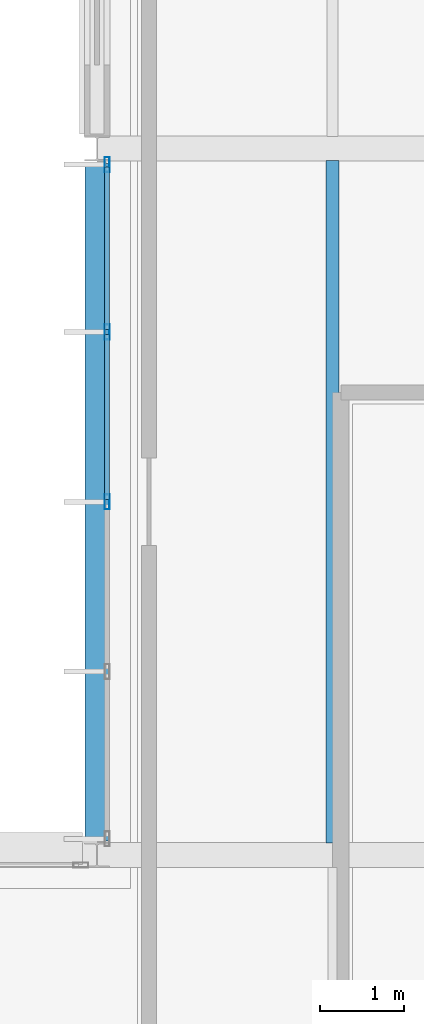
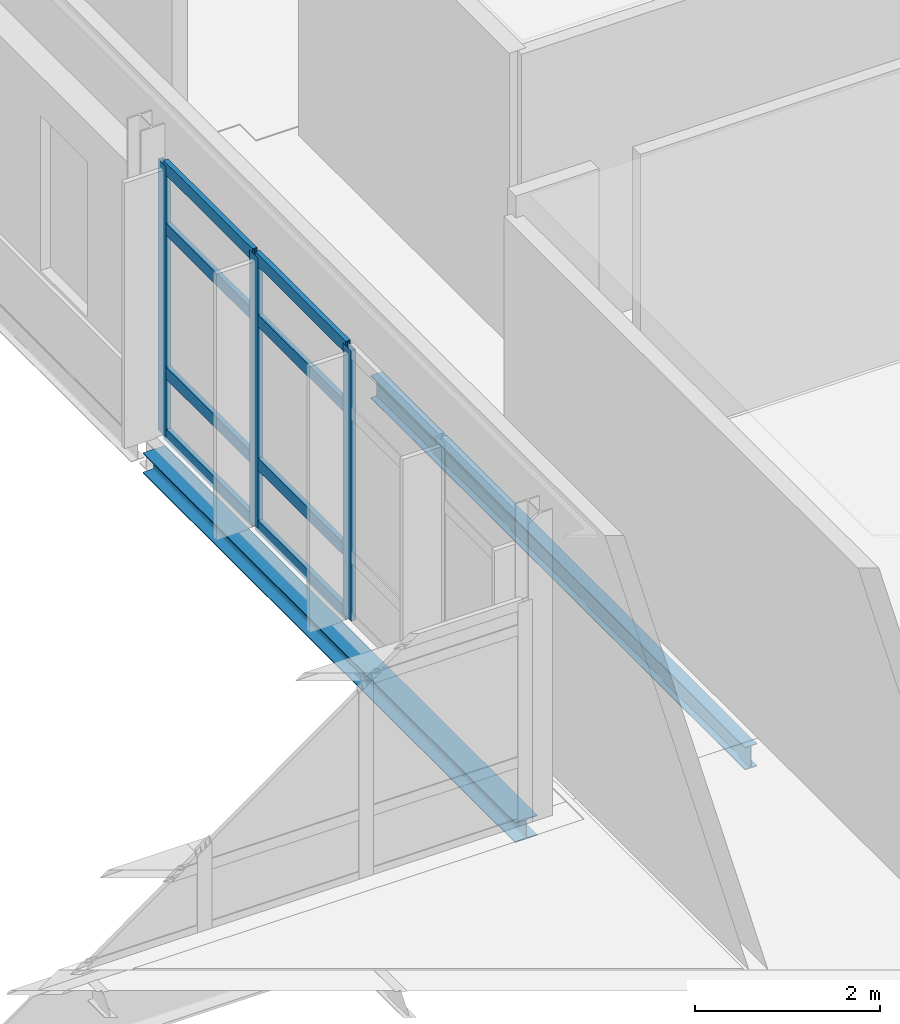
# One storey, part 41 of 103: 11 members, 2 beams, 1 element without a shape of its own.
"""IFC4 building model written with IfcOpenShell, lengths in metres."""

from ifc_helpers import new_model, si_unit, direction, frame, origin, origin_2d, place, context, subcontext, project, spatial, hollow_rectangle, i_section, extrude, material, material_profile, profile_set, type_object, element, aggregate, save


model = new_model("IFC4")

# Units and contexts
model_context = context("Model", 3, precision=1e-05, world=origin(), true_north=direction((0.0, 1.0)))
body_context = subcontext(model_context, "Body", "Model", "MODEL_VIEW")
ifc_project = project(units=[si_unit("LENGTHUNIT", "METRE"), si_unit("AREAUNIT", "SQUARE_METRE"), si_unit("VOLUMEUNIT", "CUBIC_METRE"), si_unit("PLANEANGLEUNIT", "RADIAN"), si_unit("MASSUNIT", "GRAM", prefix="KILO")], contexts=[model_context])

# Site, building, storey
site_placement = place(None, origin())
site = spatial("IfcSite", under=ifc_project, at=site_placement, CompositionType="ELEMENT")
building_placement = place(site_placement, origin())
building = spatial("IfcBuilding", under=site, at=building_placement, Name="Mersafa Astral City Hall", CompositionType="ELEMENT")
storey_placement = place(building_placement, frame((0.0, 0.0, 18.0)))
storey = spatial("IfcBuildingStorey", under=building, at=storey_placement, Name="L04", CompositionType="ELEMENT", Elevation=18.0)

# Curtain wall, members
ifc_material_1 = material(Name="Anodised bronze aluminium framing", Category="aluminium")
curtain_wall_type = type_object("IfcCurtainWallType", Name="ENV-CW-5", PredefinedType="USERDEFINED", material=ifc_material_1)
curtain_wall_placement = place(storey_placement, origin())
curtain_wall = element("IfcCurtainWall", 1, at=curtain_wall_placement, inside=storey, type_object=curtain_wall_type, Name="L04 Unitised solar curtain wall 208", ObjectType="UNITISED CURTAIN WALL", PredefinedType="USERDEFINED")
ifc_material_profile_1 = material_profile(ifc_material_1, hollow_rectangle(XDim=0.06005859375, YDim=0.179931640625, WallThickness=0.00390625, at=origin_2d()), Name="RHS 60x180x4")
ifc_profile_set_1 = profile_set([ifc_material_profile_1], Name="Anodised bronze aluminium framing")
member_type_1 = type_object("IfcMemberType", Name="ENV-CW-MUL-1", PredefinedType="MULLION", material=ifc_profile_set_1)
member_1_placement = place(storey_placement, frame((100.919921875, 100.60791015625, -0.001953125), z_axis=(0.0, 0.0, 1.0), x_axis=(1.0, 0.0, 0.0)))
member_1 = element("IfcMember", 2, at=member_1_placement, type_object=member_type_1, Name="CW-5 mullion 1", PredefinedType="MULLION", context=body_context, shape_type="SweptSolid", body=[
    extrude(hollow_rectangle(XDim=0.06005859375, YDim=0.179931640625, WallThickness=0.00390625, at=origin_2d()), origin(), (0.0, 0.0, 1.0), 3.578857421875),
])
member_2_placement = place(storey_placement, frame((100.919921875, 98.618896484375, -0.001953125), z_axis=(0.0, 0.0, 1.0), x_axis=(1.0, 0.0, 0.0)))
member_2 = element("IfcMember", 3, at=member_2_placement, type_object=member_type_1, Name="CW-5 mullion 2", PredefinedType="MULLION", context=body_context, shape_type="SweptSolid", body=[
    extrude(hollow_rectangle(XDim=0.06005859375, YDim=0.179931640625, WallThickness=0.00390625, at=origin_2d()), origin(), (0.0, 0.0, 1.0), 3.578857421875),
])
member_3_placement = place(storey_placement, frame((100.919921875, 96.60009765625, -0.001953125), z_axis=(0.0, 0.0, 1.0), x_axis=(1.0, 0.0, 0.0)))
member_3 = element("IfcMember", 4, at=member_3_placement, type_object=member_type_1, Name="CW-5 mullion 3", PredefinedType="MULLION", context=body_context, shape_type="SweptSolid", body=[
    extrude(hollow_rectangle(XDim=0.06005859375, YDim=0.179931640625, WallThickness=0.00390625, at=origin_2d()), origin(), (0.0, 0.0, 1.0), 3.578857421875),
])
ifc_material_profile_2 = material_profile(ifc_material_1, hollow_rectangle(XDim=0.06005859375, YDim=0.159912109375, WallThickness=0.00390625, at=origin_2d()), Name="RHS 60x160x4")
ifc_profile_set_2 = profile_set([ifc_material_profile_2], Name="Anodised bronze aluminium framing")
member_type_2 = type_object("IfcMemberType", Name="ENV-CW-TRN-2", PredefinedType="USERDEFINED", material=ifc_profile_set_2)
member_4_placement = place(storey_placement, frame((100.919921875, 100.577880859375, 0.028076171875), z_axis=(0.0, -1.0, 0.0), x_axis=(1.0, 0.0, 0.0)))
member_4 = element("IfcMember", 5, at=member_4_placement, type_object=member_type_2, Name="CW-5 transom 1.1", ObjectType="TRANSOM", PredefinedType="USERDEFINED", context=body_context, shape_type="SweptSolid", body=[
    extrude(hollow_rectangle(XDim=0.06005859375, YDim=0.159912109375, WallThickness=0.00390625, at=origin_2d()), origin(), (0.0, 0.0, 1.0), 1.928955078125),
])
member_5_placement = place(storey_placement, frame((100.919921875, 100.577880859375, 0.85009765625), z_axis=(0.0, -1.0, 0.0), x_axis=(1.0, 0.0, 0.0)))
member_5 = element("IfcMember", 6, at=member_5_placement, type_object=member_type_2, Name="CW-5 transom 1.2", ObjectType="TRANSOM", PredefinedType="USERDEFINED", context=body_context, shape_type="SweptSolid", body=[
    extrude(hollow_rectangle(XDim=0.06005859375, YDim=0.159912109375, WallThickness=0.00390625, at=origin_2d()), origin(), (0.0, 0.0, 1.0), 1.928955078125),
])
member_6_placement = place(storey_placement, frame((100.919921875, 100.577880859375, 2.75), z_axis=(0.0, -1.0, 0.0), x_axis=(1.0, 0.0, 0.0)))
member_6 = element("IfcMember", 7, at=member_6_placement, type_object=member_type_2, Name="CW-5 transom 1.3", ObjectType="TRANSOM", PredefinedType="USERDEFINED", context=body_context, shape_type="SweptSolid", body=[
    extrude(hollow_rectangle(XDim=0.06005859375, YDim=0.159912109375, WallThickness=0.00390625, at=origin_2d()), origin(), (0.0, 0.0, 1.0), 1.928955078125),
])
member_7_placement = place(storey_placement, frame((100.919921875, 100.577880859375, 3.547119140625), z_axis=(0.0, -1.0, 0.0), x_axis=(1.0, 0.0, 0.0)))
member_7 = element("IfcMember", 8, at=member_7_placement, type_object=member_type_2, Name="CW-5 transom 1.4", ObjectType="TRANSOM", PredefinedType="USERDEFINED", context=body_context, shape_type="SweptSolid", body=[
    extrude(hollow_rectangle(XDim=0.06005859375, YDim=0.159912109375, WallThickness=0.00390625, at=origin_2d()), origin(), (0.0, 0.0, 1.0), 1.928955078125),
])
member_8_placement = place(storey_placement, frame((100.919921875, 98.589111328125, 0.028076171875), z_axis=(0.0, -1.0, 0.0), x_axis=(1.0, 0.0, 0.0)))
member_8 = element("IfcMember", 9, at=member_8_placement, type_object=member_type_2, Name="CW-5 transom 2.1", ObjectType="TRANSOM", PredefinedType="USERDEFINED", context=body_context, shape_type="SweptSolid", body=[
    extrude(hollow_rectangle(XDim=0.06005859375, YDim=0.159912109375, WallThickness=0.00390625, at=origin_2d()), origin(), (0.0, 0.0, 1.0), 1.959228515625),
])
member_9_placement = place(storey_placement, frame((100.919921875, 98.589111328125, 0.85009765625), z_axis=(0.0, -1.0, 0.0), x_axis=(1.0, 0.0, 0.0)))
member_9 = element("IfcMember", 10, at=member_9_placement, type_object=member_type_2, Name="CW-5 transom 2.2", ObjectType="TRANSOM", PredefinedType="USERDEFINED", context=body_context, shape_type="SweptSolid", body=[
    extrude(hollow_rectangle(XDim=0.06005859375, YDim=0.159912109375, WallThickness=0.00390625, at=origin_2d()), origin(), (0.0, 0.0, 1.0), 1.959228515625),
])
member_10_placement = place(storey_placement, frame((100.919921875, 98.589111328125, 2.75), z_axis=(0.0, -1.0, 0.0), x_axis=(1.0, 0.0, 0.0)))
member_10 = element("IfcMember", 11, at=member_10_placement, type_object=member_type_2, Name="CW-5 transom 2.3", ObjectType="TRANSOM", PredefinedType="USERDEFINED", context=body_context, shape_type="SweptSolid", body=[
    extrude(hollow_rectangle(XDim=0.06005859375, YDim=0.159912109375, WallThickness=0.00390625, at=origin_2d()), origin(), (0.0, 0.0, 1.0), 1.959228515625),
])
member_11_placement = place(storey_placement, frame((100.919921875, 98.589111328125, 3.547119140625), z_axis=(0.0, -1.0, 0.0), x_axis=(1.0, 0.0, 0.0)))
member_11 = element("IfcMember", 12, at=member_11_placement, type_object=member_type_2, Name="CW-5 transom 2.4", ObjectType="TRANSOM", PredefinedType="USERDEFINED", context=body_context, shape_type="SweptSolid", body=[
    extrude(hollow_rectangle(XDim=0.06005859375, YDim=0.159912109375, WallThickness=0.00390625, at=origin_2d()), origin(), (0.0, 0.0, 1.0), 1.959228515625),
])
aggregate(curtain_wall, [member_1, member_2, member_3, member_4, member_5, member_6, member_7, member_8, member_9, member_10, member_11])

# Beams
ifc_material_2 = material(Name="Steel S355", Category="steel")
ifc_material_profile_3 = material_profile(ifc_material_2, i_section(OverallWidth=0.14990234375, OverallDepth=0.300048828125, WebThickness=0.007080078125, FlangeThickness=0.0107421875, FilletRadius=0.014892578125, at=origin_2d()), Name="IPE 300")
ifc_profile_set_3 = profile_set([ifc_material_profile_3], Name="Steel S355")
beam_type_1 = type_object("IfcBeamType", Name="STR-BM-JOIST-IPE300", PredefinedType="JOIST", material=ifc_profile_set_3)
beam_1_placement = place(storey_placement, frame((103.60009765625, 92.544921875, -0.3349609375), z_axis=(0.0, 1.0, 0.0), x_axis=(-1.0, 0.0, 0.0)))
element("IfcBeam", 13, at=beam_1_placement, inside=storey, type_object=beam_type_1, Name="L04 Composite secondary floor joist 724", PredefinedType="JOIST", context=body_context, shape_type="SweptSolid", body=[
    extrude(i_section(OverallWidth=0.14990234375, OverallDepth=0.300048828125, WebThickness=0.007080078125, FlangeThickness=0.0107421875, FilletRadius=0.014892578125, at=origin_2d()), origin(), (0.0, 0.0, 1.0), 8.110107421875),
])
ifc_material_profile_4 = material_profile(ifc_material_2, i_section(OverallWidth=0.280029296875, OverallDepth=0.27001953125, WebThickness=0.008056640625, FlangeThickness=0.012939453125, FilletRadius=0.02392578125, at=origin_2d()), Name="HEA 280")
ifc_profile_set_4 = profile_set([ifc_material_profile_4], Name="Steel S355")
beam_type_2 = type_object("IfcBeamType", Name="STR-BM-SPANDREL-HEA280", PredefinedType="SPANDREL", material=ifc_profile_set_4)
beam_2_placement = place(storey_placement, frame((100.800048828125, 92.56494140625, -0.320068359375), z_axis=(0.0, 1.0, 0.0), x_axis=(-1.0, 0.0, 0.0)))
element("IfcBeam", 14, at=beam_2_placement, inside=storey, type_object=beam_type_2, Name="L04 Primary girder Y 12-11", PredefinedType="SPANDREL", context=body_context, shape_type="SweptSolid", body=[
    extrude(i_section(OverallWidth=0.280029296875, OverallDepth=0.27001953125, WebThickness=0.008056640625, FlangeThickness=0.012939453125, FilletRadius=0.02392578125, at=origin_2d()), origin(), (0.0, 0.0, 1.0), 8.06005859375),
])

save(model, "model.ifc")
